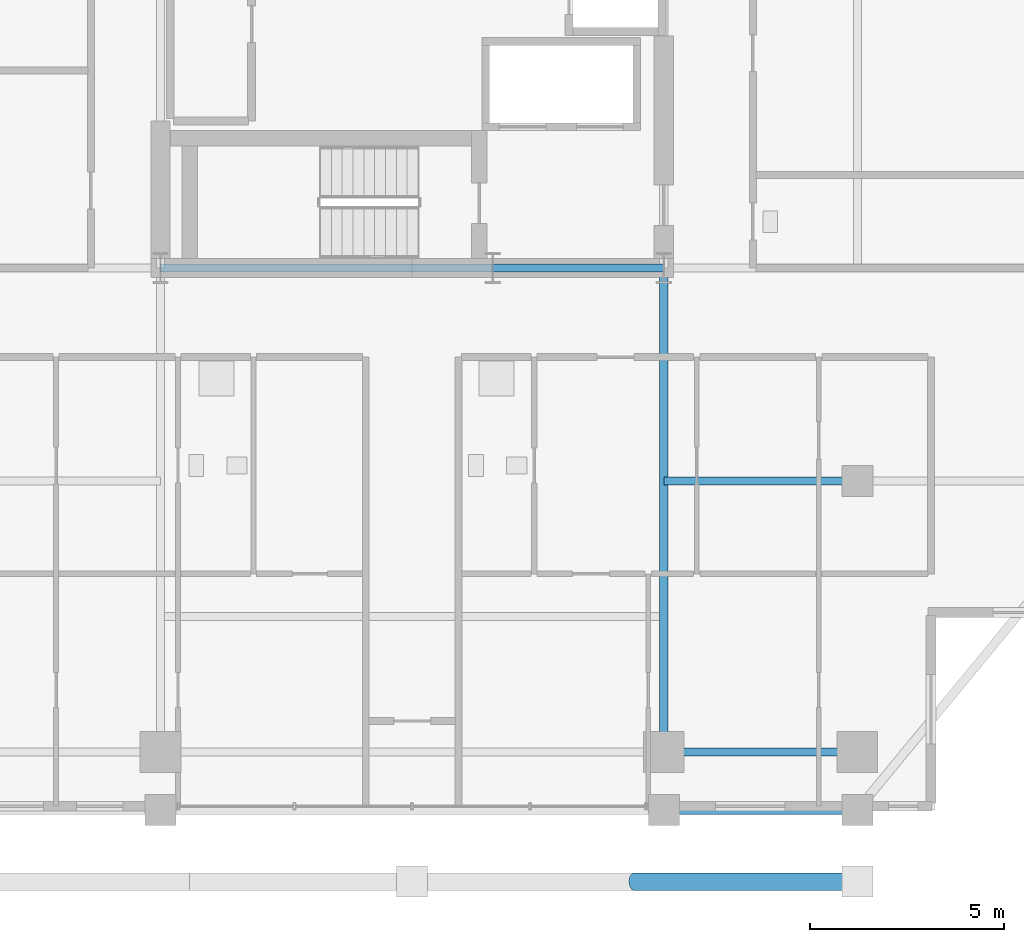
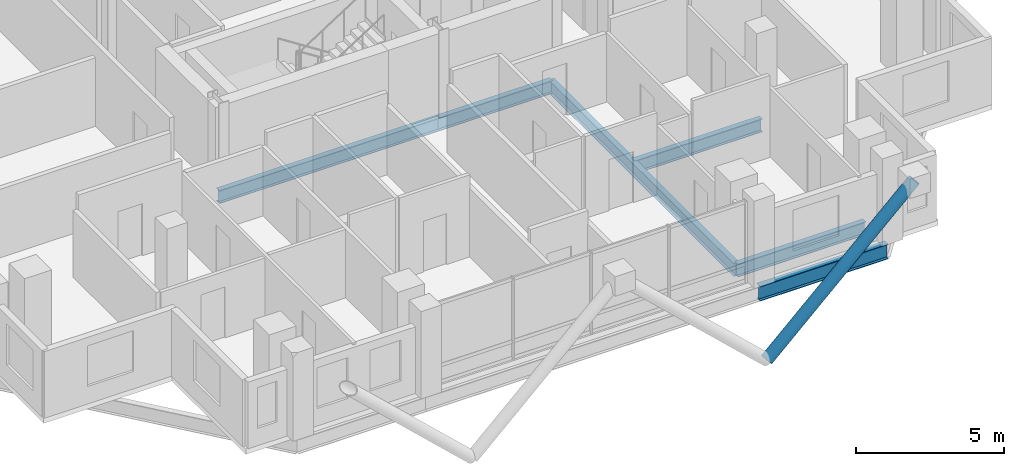
# One storey, part 5 of 24: 6 beams, 1 member.
"""IFC4 building model written with IfcOpenShell, lengths in metres."""

from ifc_helpers import new_model, si_unit, direction, frame, origin, origin_2d, place, context, subcontext, project, spatial, hollow_circle, i_section, extrude, material, material_profile, profile_set, type_object, element, save


model = new_model("IFC4")

# Units and contexts
model_context = context("Model", 3, precision=1e-05, world=origin(), true_north=direction((0.0, 1.0)))
body_context = subcontext(model_context, "Body", "Model", "MODEL_VIEW")
ifc_project = project(units=[si_unit("LENGTHUNIT", "METRE"), si_unit("AREAUNIT", "SQUARE_METRE"), si_unit("VOLUMEUNIT", "CUBIC_METRE"), si_unit("PLANEANGLEUNIT", "RADIAN"), si_unit("MASSUNIT", "GRAM", prefix="KILO")], contexts=[model_context])

# Site, building, storey
site_placement = place(None, origin())
site = spatial("IfcSite", under=ifc_project, at=site_placement, CompositionType="ELEMENT")
building_placement = place(site_placement, origin())
building = spatial("IfcBuilding", under=site, at=building_placement, Name="Barlavira Tower and Art Museum", CompositionType="ELEMENT")
storey_placement = place(building_placement, frame((0.0, 0.0, 194.39990234375)))
storey = spatial("IfcBuildingStorey", under=building, at=storey_placement, Name="L50", CompositionType="ELEMENT", Elevation=194.39990234375)

# Member
ifc_material = material(Name="Steel S355", Category="steel")
ifc_material_profile_1 = material_profile(ifc_material, hollow_circle(Radius=0.228515625, WallThickness=0.02001953125, at=origin_2d()), Name="CHS 457.0x20.0")
ifc_profile_set_1 = profile_set([ifc_material_profile_1], Name="Steel S355")
member_type = type_object("IfcMemberType", Name="Pale-Metal Exoskeleton Diagrid Tube CHS 457x20 Steel S355", PredefinedType="BRACE", material=ifc_profile_set_1)
member_placement = place(storey_placement, frame((5.75, -23.35009765625, -1.919921875), z_axis=(0.728950095515, 0.0, 0.684566839869), x_axis=(0.0, 1.0, 0.0)))
element("IfcMember", 1, at=member_placement, inside=storey, type_object=member_type, Name="L50 Exoskeleton Diagrid Tube S", PredefinedType="BRACE", context=body_context, shape_type="SweptSolid", body=[
    extrude(hollow_circle(Radius=0.228515625, WallThickness=0.02001953125, at=origin_2d()), origin(), (0.0, 0.0, 1.0), 7.887939453125),
])

# Beams
ifc_material_profile_2 = material_profile(ifc_material, i_section(OverallWidth=0.22998046875, OverallDepth=0.616943359375, WebThickness=0.01318359375, FlangeThickness=0.022216796875, at=origin_2d()), Name="W610x140.0")
ifc_profile_set_2 = profile_set([ifc_material_profile_2], Name="Steel S355")
beam_type_1 = type_object("IfcBeamType", Name="Upper Shaft Spandrel Edge Beam W610x140 Steel S355", PredefinedType="SPANDREL", material=ifc_profile_set_2)
beam_1_placement = place(storey_placement, frame((6.5, -21.5, -0.5283203125), z_axis=(1.0, 0.0, 0.0), x_axis=(0.0, 1.0, 0.0)))
element("IfcBeam", 2, at=beam_1_placement, inside=storey, type_object=beam_type_1, Name="L50 Spandrel 3", PredefinedType="SPANDREL", context=body_context, shape_type="SweptSolid", body=[
    extrude(i_section(OverallWidth=0.22998046875, OverallDepth=0.616943359375, WebThickness=0.01318359375, FlangeThickness=0.022216796875, at=origin_2d()), origin(), (0.0, 0.0, 1.0), 5.0),
])
ifc_material_profile_3 = material_profile(ifc_material, i_section(OverallWidth=0.2109375, OverallDepth=0.5390625, WebThickness=0.01171875, FlangeThickness=0.018798828125, at=origin_2d()), Name="W530x109.0")
ifc_profile_set_3 = profile_set([ifc_material_profile_3], Name="Steel S355")
beam_type_2 = type_object("IfcBeamType", Name="Zone 3-4 Primary Floor Girder W530x109 Steel S355", PredefinedType="BEAM", material=ifc_profile_set_3)
beam_2_placement = place(storey_placement, frame((-6.5, -7.5, -0.489501953125), z_axis=(1.0, 0.0, 0.0), x_axis=(0.0, 1.0, 0.0)))
element("IfcBeam", 3, at=beam_2_placement, inside=storey, type_object=beam_type_2, Name="L50 Girder C-S1", PredefinedType="BEAM", context=body_context, shape_type="SweptSolid", body=[
    extrude(i_section(OverallWidth=0.2109375, OverallDepth=0.5390625, WebThickness=0.01171875, FlangeThickness=0.018798828125, at=origin_2d()), origin(), (0.0, 0.0, 1.0), 8.580078125),
])
beam_3_placement = place(storey_placement, frame((2.080078125, -7.5, -0.489501953125), z_axis=(1.0, 0.0, 0.0), x_axis=(0.0, 1.0, 0.0)))
element("IfcBeam", 4, at=beam_3_placement, inside=storey, type_object=beam_type_2, Name="L50 Girder C-S2", PredefinedType="BEAM", context=body_context, shape_type="SweptSolid", body=[
    extrude(i_section(OverallWidth=0.2109375, OverallDepth=0.5390625, WebThickness=0.01171875, FlangeThickness=0.018798828125, at=origin_2d()), origin(), (0.0, 0.0, 1.0), 4.419921875),
])
beam_4_placement = place(storey_placement, frame((6.5, -20.0, -0.489501953125), z_axis=(1.0, 0.0, 0.0), x_axis=(0.0, 1.0, 0.0)))
element("IfcBeam", 5, at=beam_4_placement, inside=storey, type_object=beam_type_2, Name="L50 Girder M-S3", PredefinedType="BEAM", context=body_context, shape_type="SweptSolid", body=[
    extrude(i_section(OverallWidth=0.2109375, OverallDepth=0.5390625, WebThickness=0.01171875, FlangeThickness=0.018798828125, at=origin_2d()), origin(), (0.0, 0.0, 1.0), 5.0),
])
beam_5_placement = place(storey_placement, frame((6.5, -20.0, -0.489501953125), z_axis=(0.0, 1.0, 0.0), x_axis=(-1.0, 0.0, 0.0)))
element("IfcBeam", 6, at=beam_5_placement, inside=storey, type_object=beam_type_2, Name="L50 Girder R-S2", PredefinedType="BEAM", context=body_context, shape_type="SweptSolid", body=[
    extrude(i_section(OverallWidth=0.2109375, OverallDepth=0.5390625, WebThickness=0.01171875, FlangeThickness=0.018798828125, at=origin_2d()), origin(), (0.0, 0.0, 1.0), 12.5),
])
beam_6_placement = place(storey_placement, frame((6.5, -13.0, -0.489501953125), z_axis=(1.0, 0.0, 0.0), x_axis=(0.0, 1.0, 0.0)))
element("IfcBeam", 7, at=beam_6_placement, inside=storey, type_object=beam_type_2, Name="L50 Girder I-S3", PredefinedType="BEAM", context=body_context, shape_type="SweptSolid", body=[
    extrude(i_section(OverallWidth=0.2109375, OverallDepth=0.5390625, WebThickness=0.01171875, FlangeThickness=0.018798828125, at=origin_2d()), origin(), (0.0, 0.0, 1.0), 5.0),
])

save(model, "model.ifc")
